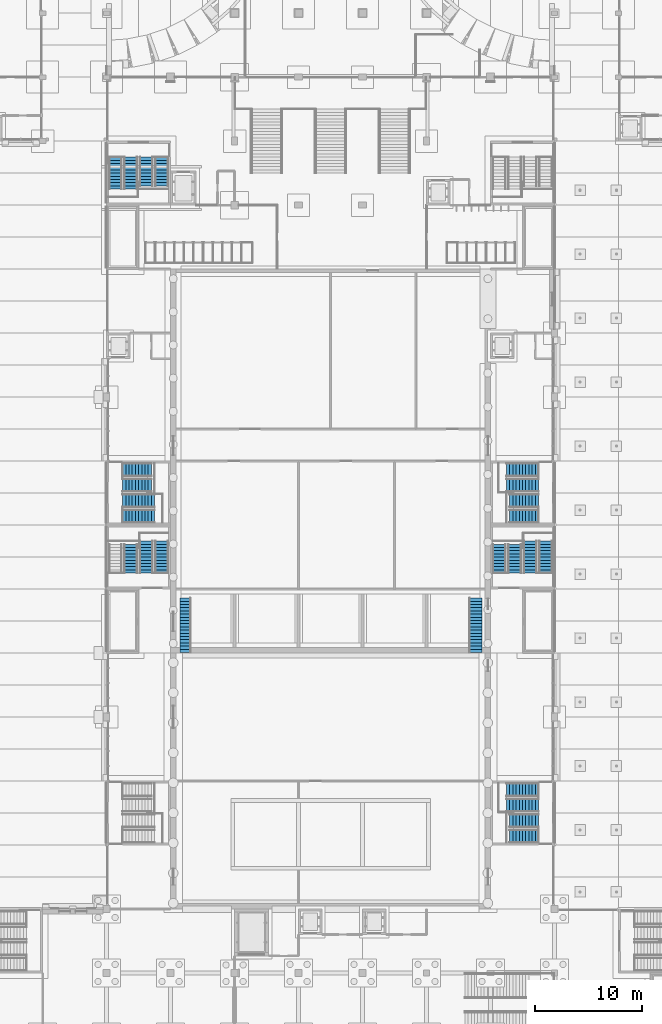
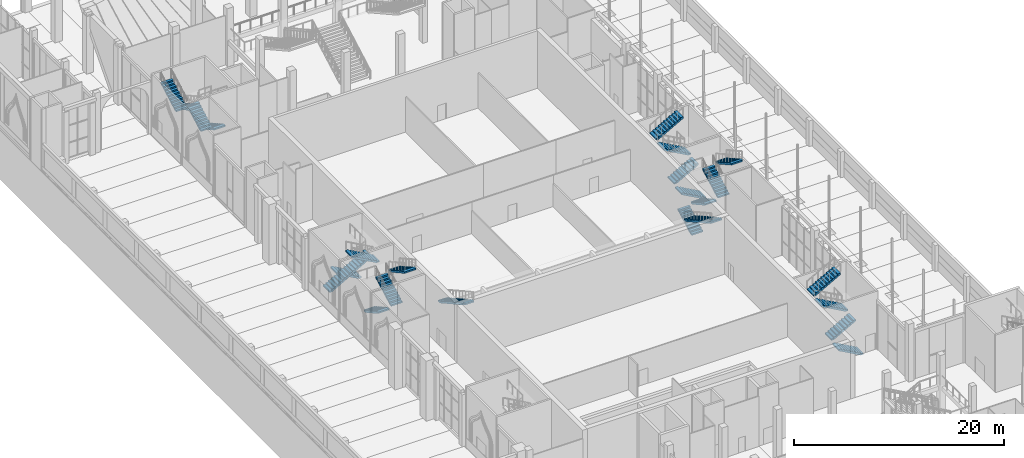
# One storey, part 54 of 95: 25 stair flights, 8 elements without a shape of their own.
"""IFC4 building model written with IfcOpenShell, lengths in metres."""

import ifcopenshell
import ifcopenshell.guid

model = None  # the IFC model being written
_history = None  # IfcOwnerHistory: only IFC2X3 demands one
_inside = {}  # id of a spatial element -> (the spatial element, [elements in it])
_under = {}  # id of a project, library or spatial element -> (it, [spatial elements below it])
_declared = {}  # id of a project -> (the project, [libraries it declares])
_typed = {}  # id of a type object -> (the type object, [elements of that type])
_made_of = {}  # id of a material, layer set ... -> (it, [elements and type objects made of it])


def new_model(schema):
    """Start an empty IFC model of exactly this schema.

    Asked for "IFC4X3", IfcOpenShell would pick the latest addendum, in which some entities
    have other attributes; the version numbers below select the first issue.
    IFC2X3 requires an IfcOwnerHistory on every rooted entity: one is made here for all.
    """
    global model, _history
    if schema == "IFC4X3":
        model = ifcopenshell.file(schema_version=(4, 3, 0, 0))
    else:
        model = ifcopenshell.file(schema=schema)
    _inside.clear()
    _under.clear()
    _declared.clear()
    _typed.clear()
    _made_of.clear()
    _history = None
    if model.schema == "IFC2X3":
        org = make("IfcOrganization", Name="unknown")
        user = make(
            "IfcPersonAndOrganization",
            ThePerson=make("IfcPerson", FamilyName="unknown"),
            TheOrganization=org,
        )
        app = make(
            "IfcApplication",
            ApplicationDeveloper=org,
            Version="unknown",
            ApplicationFullName="unknown",
            ApplicationIdentifier="unknown",
        )
        _history = make(
            "IfcOwnerHistory",
            OwningUser=user,
            OwningApplication=app,
            ChangeAction="ADDED",
            CreationDate=0,
        )
    return model


def make(cls, **values):
    """One entity of the class cls with the attributes given. An attribute that is None is left unset."""
    return model.create_entity(
        cls, **{name: value for name, value in values.items() if value is not None}
    )


def rooted(cls, **values):
    """An entity with a GlobalId (a new one), such as an element, a storey or a relation."""
    return make(cls, GlobalId=ifcopenshell.guid.new(), OwnerHistory=_history, **values)


def si_unit(unit_type, name, prefix=None):
    """IfcSIUnit, for example si_unit("LENGTHUNIT", "METRE", prefix="MILLI")."""
    return make("IfcSIUnit", UnitType=unit_type, Prefix=prefix, Name=name)


def assignment(units):
    """IfcUnitAssignment: the units of a project."""
    return None if units is None else make("IfcUnitAssignment", Units=units)


def point(xyz):
    """IfcCartesianPoint."""
    return None if xyz is None else make("IfcCartesianPoint", Coordinates=xyz)


def direction(xyz):
    """IfcDirection."""
    return None if xyz is None else make("IfcDirection", DirectionRatios=xyz)


def frame(location, z_axis=None, x_axis=None):
    """IfcAxis2Placement3D, a coordinate frame: its origin and axes. An axis left out is left unset."""
    return make(
        "IfcAxis2Placement3D",
        Location=point(location),
        Axis=direction(z_axis),
        RefDirection=direction(x_axis),
    )


def origin():
    """The frame at (0, 0, 0) with its axes left unset."""
    return frame((0.0, 0.0, 0.0))


def place(relative_to, where):
    """IfcLocalPlacement: puts the frame where relative to a parent placement (None: the world)."""
    return make(
        "IfcLocalPlacement", PlacementRelTo=relative_to, RelativePlacement=where
    )


def context(
    kind, dimensions, precision=None, world=None, true_north=None, identifier=None
):
    """IfcGeometricRepresentationContext, for example the 3D "Model" context."""
    return make(
        "IfcGeometricRepresentationContext",
        ContextIdentifier=identifier,
        ContextType=kind,
        CoordinateSpaceDimension=dimensions,
        Precision=precision,
        WorldCoordinateSystem=world,
        TrueNorth=true_north,
    )


def subcontext(parent, identifier, kind, view, scale=None):
    """IfcGeometricRepresentationSubContext, for example "Body" below "Model"."""
    return make(
        "IfcGeometricRepresentationSubContext",
        ContextIdentifier=identifier,
        ContextType=kind,
        ParentContext=parent,
        TargetScale=scale,
        TargetView=view,
    )


def project(units=None, contexts=None):
    """IfcProject with its units and contexts."""
    return rooted(
        "IfcProject",
        Name="project",
        RepresentationContexts=contexts,
        UnitsInContext=assignment(units),
    )


def spatial(cls, under=None, at=None, **own):
    """A site, building, storey or space (cls), placed at a placement, below another one or the project."""
    s = rooted(cls, ObjectPlacement=at, **own)
    if under is not None:
        _under.setdefault(under.id(), (under, []))[1].append(s)
    return s


def polyline(points):
    """IfcPolyline through the points."""
    return make("IfcPolyline", Points=[point(p) for p in points])


def outline(outer, holes=None, kind="AREA"):
    """IfcArbitraryClosedProfileDef: a profile drawn as a closed curve; with holes, ...WithVoids."""
    if holes is None:
        return make("IfcArbitraryClosedProfileDef", ProfileType=kind, OuterCurve=outer)
    return make(
        "IfcArbitraryProfileDefWithVoids",
        ProfileType=kind,
        OuterCurve=outer,
        InnerCurves=holes,
    )


def extrude(swept, where, along, depth):
    """IfcExtrudedAreaSolid: the profile swept, set in the frame where, extruded along a direction by depth."""
    return make(
        "IfcExtrudedAreaSolid",
        SweptArea=swept,
        Position=where,
        ExtrudedDirection=direction(along),
        Depth=depth,
    )


def shape(context_of_items, identifier, shape_type, items):
    """IfcShapeRepresentation: the items that make up one representation, for example the "Body"."""
    return make(
        "IfcShapeRepresentation",
        ContextOfItems=context_of_items,
        RepresentationIdentifier=identifier,
        RepresentationType=shape_type,
        Items=items,
    )


def material(Name=None, Category=None):
    """IfcMaterial."""
    return make("IfcMaterial", Name=Name, Category=Category)


def made_of(thing, what):
    """Note that an element or type object is made of a material, layer set ...; save() writes the relation."""
    if what is not None:
        _made_of.setdefault(what.id(), (what, []))[1].append(thing)
    return thing


def type_object(cls, material=None, **own):
    """A type object (cls), such as IfcWallType, which elements share."""
    return made_of(rooted(cls, **own), material)


def element(
    cls,
    number,
    at=None,
    inside=None,
    cuts=None,
    type_object=None,
    material=None,
    context=None,
    identifier="Body",
    shape_type=None,
    held_by="IfcProductDefinitionShape",
    body=None,
    shapes=None,
    **own,
):
    """One element of the class cls, such as IfcWall. Its Tag is "e" and its number.

    at: its placement. inside: the storey or other place that contains it. cuts: it is an
    opening in that element (IfcRelVoidsElement). A single representation is given by context,
    identifier, shape_type and body (its items); several are given by shapes. held_by: the class
    of the entity that holds the representations. save() writes the other relations.
    """
    e = rooted(cls, Tag="e%d" % number, ObjectPlacement=at, **own)
    if body is not None:
        shapes = [shape(context, identifier, shape_type, body)]
    if shapes is not None:
        e.Representation = make(held_by, Representations=shapes)
    if inside is not None:
        _inside.setdefault(inside.id(), (inside, []))[1].append(e)
    if cuts is not None:
        rooted(
            "IfcRelVoidsElement", RelatingBuildingElement=cuts, RelatedOpeningElement=e
        )
    if type_object is not None:
        _typed.setdefault(type_object.id(), (type_object, []))[1].append(e)
    return made_of(e, material)


def aggregate(whole, parts):
    """IfcRelAggregates: a whole, such as a stair, and the parts it consists of."""
    return rooted("IfcRelAggregates", RelatingObject=whole, RelatedObjects=parts)


def save(model, path):
    """Write the relations noted so far, then the file.

    IfcRelAggregates (storeys below a building ...), IfcRelContainedInSpatialStructure (elements
    in a storey), IfcRelDefinesByType, IfcRelAssociatesMaterial and IfcRelDeclares: one each for
    every whole, place, type object, material and project.
    """
    for whole, parts in _under.values():
        aggregate(whole, parts)
    for where, things in _inside.values():
        rooted(
            "IfcRelContainedInSpatialStructure",
            RelatedElements=things,
            RelatingStructure=where,
        )
    for kind, things in _typed.values():
        rooted("IfcRelDefinesByType", RelatedObjects=things, RelatingType=kind)
    for what, things in _made_of.values():
        rooted("IfcRelAssociatesMaterial", RelatedObjects=things, RelatingMaterial=what)
    for by, libraries in _declared.values():
        rooted("IfcRelDeclares", RelatingContext=by, RelatedDefinitions=libraries)
    model.write(path)


model = new_model("IFC4")

# Units and contexts
model_context = context("Model", 3, precision=1e-05, world=origin(), true_north=direction((0.0, 1.0)))
body_context = subcontext(model_context, "Body", "Model", "MODEL_VIEW")
ifc_project = project(units=[si_unit("LENGTHUNIT", "METRE"), si_unit("AREAUNIT", "SQUARE_METRE"), si_unit("VOLUMEUNIT", "CUBIC_METRE"), si_unit("PLANEANGLEUNIT", "RADIAN"), si_unit("MASSUNIT", "GRAM", prefix="KILO")], contexts=[model_context])

# Site, building, storey
site_placement = place(None, origin())
site = spatial("IfcSite", under=ifc_project, at=site_placement, CompositionType="ELEMENT")
building_placement = place(site_placement, origin())
building = spatial("IfcBuilding", under=site, at=building_placement, Name="Saffron Lane Theatres", CompositionType="ELEMENT")
storey_placement = place(building_placement, origin())
storey = spatial("IfcBuildingStorey", under=building, at=storey_placement, Name="L00", CompositionType="ELEMENT", Elevation=0.0)

# Stair, stair flight
ifc_material_1 = material(Name="Concrete N40 (40 MPa)", Category="concrete")
stair_type_1 = type_object("IfcStairType", Name="VC-STAIR AISLE", PredefinedType="STRAIGHT_RUN_STAIR", material=ifc_material_1)
stair_1_placement = place(storey_placement, origin())
stair_1 = element("IfcStair", 1, at=stair_1_placement, inside=storey, type_object=stair_type_1, Name="Orchestra pit stair 1", PredefinedType="STRAIGHT_RUN_STAIR")
ifc_material_2 = material(Name="Concrete N40 (40 MPa)", Category="concrete")
stair_flight_type_1 = type_object("IfcStairFlightType", Name="VC-FLIGHT 1000", PredefinedType="STRAIGHT", material=ifc_material_2)
stair_flight_1_placement = place(storey_placement, frame((19.39990234375, 59.14990234375, 4.0), z_axis=(0.0, 0.0, 1.0), x_axis=(0.0, -1.0, 0.0)))
stair_flight_1 = element("IfcStairFlight", 2, at=stair_flight_1_placement, type_object=stair_flight_type_1, Name="Orchestra pit stair 1 flight", NumberOfRisers=18, NumberOfTreads=17, PredefinedType="STRAIGHT", RiserHeight=0.166666667, TreadLength=0.3, context=body_context, shape_type="SweptSolid", body=[
    extrude(outline(polyline([(0.0, 0.0), (0.0, 0.166748046875), (0.300048828125, 0.166748046875), (0.300048828125, 0.333251953125), (0.60009765625, 0.333251953125), (0.60009765625, 0.5), (0.89990234375, 0.5), (0.89990234375, 0.666748046875), (1.199951171875, 0.666748046875), (1.199951171875, 0.833251953125), (1.5, 0.833251953125), (1.5, 1.0), (1.800048828125, 1.0), (1.800048828125, 1.166748046875), (2.10009765625, 1.166748046875), (2.10009765625, 1.333251953125), (2.39990234375, 1.333251953125), (2.39990234375, 1.5), (2.699951171875, 1.5), (2.699951171875, 1.666748046875), (3.0, 1.666748046875), (3.0, 1.833251953125), (3.300048828125, 1.833251953125), (3.300048828125, 2.0), (3.60009765625, 2.0), (3.60009765625, 2.166748046875), (3.89990234375, 2.166748046875), (3.89990234375, 2.333251953125), (4.199951171875, 2.333251953125), (4.199951171875, 2.5), (4.5, 2.5), (4.5, 2.666748046875), (4.800048828125, 2.666748046875), (4.800048828125, 2.833251953125), (5.10009765625, 2.833251953125), (5.10009765625, 3.0), (5.10009765625, 2.661865234375), (0.30859375, 0.0), (0.0, 0.0)])), frame((0.0, 0.5, 0.0), z_axis=(0.0, -1.0, 0.0), x_axis=(1.0, 0.0, 0.0)), (0.0, 0.0, 1.0), 1.0),
])
aggregate(stair_1, [stair_flight_1])

stair_2_placement = place(storey_placement, origin())
stair_2 = element("IfcStair", 3, at=stair_2_placement, inside=storey, type_object=stair_type_1, Name="Orchestra pit stair 2", PredefinedType="STRAIGHT_RUN_STAIR")
ifc_material_3 = material(Name="Concrete N40 (40 MPa)", Category="concrete")
stair_flight_type_2 = type_object("IfcStairFlightType", Name="VC-FLIGHT 1200", PredefinedType="STRAIGHT", material=ifc_material_3)
stair_flight_2_placement = place(storey_placement, frame((46.60009765625, 59.14990234375, 4.0), z_axis=(0.0, 0.0, 1.0), x_axis=(0.0, -1.0, 0.0)))
stair_flight_2 = element("IfcStairFlight", 4, at=stair_flight_2_placement, type_object=stair_flight_type_2, Name="Orchestra pit stair 2 flight", NumberOfRisers=18, NumberOfTreads=17, PredefinedType="STRAIGHT", RiserHeight=0.166666667, TreadLength=0.3, context=body_context, shape_type="SweptSolid", body=[
    extrude(outline(polyline([(0.0, 0.0), (0.0, 0.166748046875), (0.300048828125, 0.166748046875), (0.300048828125, 0.333251953125), (0.60009765625, 0.333251953125), (0.60009765625, 0.5), (0.89990234375, 0.5), (0.89990234375, 0.666748046875), (1.199951171875, 0.666748046875), (1.199951171875, 0.833251953125), (1.5, 0.833251953125), (1.5, 1.0), (1.800048828125, 1.0), (1.800048828125, 1.166748046875), (2.10009765625, 1.166748046875), (2.10009765625, 1.333251953125), (2.39990234375, 1.333251953125), (2.39990234375, 1.5), (2.699951171875, 1.5), (2.699951171875, 1.666748046875), (3.0, 1.666748046875), (3.0, 1.833251953125), (3.300048828125, 1.833251953125), (3.300048828125, 2.0), (3.60009765625, 2.0), (3.60009765625, 2.166748046875), (3.89990234375, 2.166748046875), (3.89990234375, 2.333251953125), (4.199951171875, 2.333251953125), (4.199951171875, 2.5), (4.5, 2.5), (4.5, 2.666748046875), (4.800048828125, 2.666748046875), (4.800048828125, 2.833251953125), (5.10009765625, 2.833251953125), (5.10009765625, 3.0), (5.10009765625, 2.661865234375), (0.30859375, 0.0), (0.0, 0.0)])), frame((0.0, 0.60009765625, 0.0), z_axis=(0.0, -1.0, 0.0), x_axis=(1.0, 0.0, 0.0)), (0.0, 0.0, 1.0), 1.199951171875),
])
aggregate(stair_2, [stair_flight_2])

# Stair, stair flights
ifc_material_4 = material(Name="Concrete N40 (40 MPa)", Category="concrete")
stair_type_2 = type_object("IfcStairType", Name="VC-STAIR EXIT", PredefinedType="TWO_STRAIGHT_RUN_STAIR", material=ifc_material_4)
stair_3_placement = place(storey_placement, origin())
stair_3 = element("IfcStair", 5, at=stair_3_placement, inside=storey, type_object=stair_type_2, Name="Brick Block West Stair L00 to L01", PredefinedType="TWO_STRAIGHT_RUN_STAIR")
ifc_material_5 = material(Name="Concrete N40 (40 MPa)", Category="concrete")
stair_flight_type_3 = type_object("IfcStairFlightType", Name="VC-FLIGHT 1250", PredefinedType="STRAIGHT", material=ifc_material_5)
stair_flight_3_placement = place(storey_placement, frame((17.175048828125, 100.5, 0.0), z_axis=(0.0, 0.0, 1.0), x_axis=(0.0, -1.0, 0.0)))
stair_flight_3 = element("IfcStairFlight", 6, at=stair_flight_3_placement, type_object=stair_flight_type_3, Name="Brick Block West Stair flight 1.1", NumberOfRisers=10, NumberOfTreads=9, PredefinedType="STRAIGHT", RiserHeight=0.166666667, TreadLength=0.3, context=body_context, shape_type="SweptSolid", body=[
    extrude(outline(polyline([(0.0, 0.0), (0.0, 0.166748046875), (0.300048828125, 0.166748046875), (0.300048828125, 0.333251953125), (0.60009765625, 0.333251953125), (0.60009765625, 0.5), (0.89990234375, 0.5), (0.89990234375, 0.666748046875), (1.199951171875, 0.666748046875), (1.199951171875, 0.833251953125), (1.5, 0.833251953125), (1.5, 1.0), (1.800048828125, 1.0), (1.800048828125, 1.166748046875), (2.10009765625, 1.166748046875), (2.10009765625, 1.333251953125), (2.39990234375, 1.333251953125), (2.39990234375, 1.5), (2.699951171875, 1.5), (2.699951171875, 1.666748046875), (2.699951171875, 1.32861328125), (0.30859375, 0.0), (0.0, 0.0)])), frame((0.0, 0.625, 0.0), z_axis=(0.0, -1.0, 0.0), x_axis=(1.0, 0.0, 0.0)), (0.0, 0.0, 1.0), 1.25),
])
stair_flight_4_placement = place(storey_placement, frame((15.72509765625, 97.800048828125, 1.666748046875), z_axis=(0.0, 0.0, 1.0), x_axis=(0.0, 1.0, 0.0)))
stair_flight_4 = element("IfcStairFlight", 7, at=stair_flight_4_placement, type_object=stair_flight_type_3, Name="Brick Block West Stair flight 1.2", NumberOfRisers=10, NumberOfTreads=9, PredefinedType="STRAIGHT", RiserHeight=0.166666667, TreadLength=0.3, context=body_context, shape_type="SweptSolid", body=[
    extrude(outline(polyline([(0.0, 0.0), (0.0, 0.166748046875), (0.300048828125, 0.166748046875), (0.300048828125, 0.333251953125), (0.60009765625, 0.333251953125), (0.60009765625, 0.5), (0.89990234375, 0.5), (0.89990234375, 0.666748046875), (1.199951171875, 0.666748046875), (1.199951171875, 0.833251953125), (1.5, 0.833251953125), (1.5, 1.0), (1.800048828125, 1.0), (1.800048828125, 1.166748046875), (2.10009765625, 1.166748046875), (2.10009765625, 1.333251953125), (2.39990234375, 1.333251953125), (2.39990234375, 1.5), (2.699951171875, 1.5), (2.699951171875, 1.666748046875), (2.699951171875, 1.32861328125), (0.30859375, 0.0), (0.0, 0.0)])), frame((0.0, 0.625, 0.0), z_axis=(0.0, -1.0, 0.0), x_axis=(1.0, 0.0, 0.0)), (0.0, 0.0, 1.0), 1.25),
])
stair_flight_5_placement = place(storey_placement, frame((14.27490234375, 100.5, 3.333251953125), z_axis=(0.0, 0.0, 1.0), x_axis=(0.0, -1.0, 0.0)))
stair_flight_5 = element("IfcStairFlight", 8, at=stair_flight_5_placement, type_object=stair_flight_type_3, Name="Brick Block West Stair flight 1.3", NumberOfRisers=11, NumberOfTreads=10, PredefinedType="STRAIGHT", RiserHeight=0.166666667, TreadLength=0.3, context=body_context, shape_type="SweptSolid", body=[
    extrude(outline(polyline([(0.0, 0.0), (0.0, 0.166748046875), (0.300048828125, 0.166748046875), (0.300048828125, 0.333251953125), (0.60009765625, 0.333251953125), (0.60009765625, 0.5), (0.89990234375, 0.5), (0.89990234375, 0.666748046875), (1.199951171875, 0.666748046875), (1.199951171875, 0.833251953125), (1.5, 0.833251953125), (1.5, 1.0), (1.800048828125, 1.0), (1.800048828125, 1.166748046875), (2.10009765625, 1.166748046875), (2.10009765625, 1.333251953125), (2.39990234375, 1.333251953125), (2.39990234375, 1.5), (2.699951171875, 1.5), (2.699951171875, 1.666748046875), (3.0, 1.666748046875), (3.0, 1.833251953125), (3.0, 1.4951171875), (0.30859375, 0.0), (0.0, 0.0)])), frame((0.0, 0.625, 0.0), z_axis=(0.0, -1.0, 0.0), x_axis=(1.0, 0.0, 0.0)), (0.0, 0.0, 1.0), 1.25),
])
stair_flight_6_placement = place(storey_placement, frame((12.824951171875, 97.5, 5.166748046875), z_axis=(0.0, 0.0, 1.0), x_axis=(0.0, 1.0, 0.0)))
stair_flight_6 = element("IfcStairFlight", 9, at=stair_flight_6_placement, type_object=stair_flight_type_3, Name="Brick Block West Stair flight 1.4", NumberOfRisers=11, NumberOfTreads=10, PredefinedType="STRAIGHT", RiserHeight=0.166666667, TreadLength=0.3, context=body_context, shape_type="SweptSolid", body=[
    extrude(outline(polyline([(0.0, 0.0), (0.0, 0.166748046875), (0.300048828125, 0.166748046875), (0.300048828125, 0.333251953125), (0.60009765625, 0.333251953125), (0.60009765625, 0.5), (0.89990234375, 0.5), (0.89990234375, 0.666748046875), (1.199951171875, 0.666748046875), (1.199951171875, 0.833251953125), (1.5, 0.833251953125), (1.5, 1.0), (1.800048828125, 1.0), (1.800048828125, 1.166748046875), (2.10009765625, 1.166748046875), (2.10009765625, 1.333251953125), (2.39990234375, 1.333251953125), (2.39990234375, 1.5), (2.699951171875, 1.5), (2.699951171875, 1.666748046875), (3.0, 1.666748046875), (3.0, 1.833251953125), (3.0, 1.4951171875), (0.30859375, 0.0), (0.0, 0.0)])), frame((0.0, 0.625, 0.0), z_axis=(0.0, -1.0, 0.0), x_axis=(1.0, 0.0, 0.0)), (0.0, 0.0, 1.0), 1.25),
])
aggregate(stair_3, [stair_flight_3, stair_flight_4, stair_flight_5, stair_flight_6])

stair_4_placement = place(storey_placement, origin())
stair_4 = element("IfcStair", 10, at=stair_4_placement, inside=storey, type_object=stair_type_2, Name="Auditorium West Rear Stair L00 to L01", PredefinedType="TWO_STRAIGHT_RUN_STAIR")
stair_flight_7_placement = place(storey_placement, frame((13.5, 71.175048828125, 0.0), z_axis=(0.0, 0.0, 1.0), x_axis=(1.0, 0.0, 0.0)))
stair_flight_7 = element("IfcStairFlight", 11, at=stair_flight_7_placement, type_object=stair_flight_type_3, Name="Auditorium West Rear Stair flight 1.1", NumberOfRisers=10, NumberOfTreads=9, PredefinedType="STRAIGHT", RiserHeight=0.166666667, TreadLength=0.3, context=body_context, shape_type="SweptSolid", body=[
    extrude(outline(polyline([(0.0, 0.0), (0.0, 0.166748046875), (0.300048828125, 0.166748046875), (0.300048828125, 0.333251953125), (0.60009765625, 0.333251953125), (0.60009765625, 0.5), (0.89990234375, 0.5), (0.89990234375, 0.666748046875), (1.199951171875, 0.666748046875), (1.199951171875, 0.833251953125), (1.5, 0.833251953125), (1.5, 1.0), (1.800048828125, 1.0), (1.800048828125, 1.166748046875), (2.10009765625, 1.166748046875), (2.10009765625, 1.333251953125), (2.39990234375, 1.333251953125), (2.39990234375, 1.5), (2.699951171875, 1.5), (2.699951171875, 1.666748046875), (2.699951171875, 1.32861328125), (0.30859375, 0.0), (0.0, 0.0)])), frame((0.0, 0.625, 0.0), z_axis=(0.0, -1.0, 0.0), x_axis=(1.0, 0.0, 0.0)), (0.0, 0.0, 1.0), 1.25),
])
stair_flight_8_placement = place(storey_placement, frame((16.199951171875, 69.72509765625, 1.666748046875), z_axis=(0.0, 0.0, 1.0), x_axis=(-1.0, 0.0, 0.0)))
stair_flight_8 = element("IfcStairFlight", 12, at=stair_flight_8_placement, type_object=stair_flight_type_3, Name="Auditorium West Rear Stair flight 1.2", NumberOfRisers=10, NumberOfTreads=9, PredefinedType="STRAIGHT", RiserHeight=0.166666667, TreadLength=0.3, context=body_context, shape_type="SweptSolid", body=[
    extrude(outline(polyline([(0.0, 0.0), (0.0, 0.166748046875), (0.300048828125, 0.166748046875), (0.300048828125, 0.333251953125), (0.60009765625, 0.333251953125), (0.60009765625, 0.5), (0.89990234375, 0.5), (0.89990234375, 0.666748046875), (1.199951171875, 0.666748046875), (1.199951171875, 0.833251953125), (1.5, 0.833251953125), (1.5, 1.0), (1.800048828125, 1.0), (1.800048828125, 1.166748046875), (2.10009765625, 1.166748046875), (2.10009765625, 1.333251953125), (2.39990234375, 1.333251953125), (2.39990234375, 1.5), (2.699951171875, 1.5), (2.699951171875, 1.666748046875), (2.699951171875, 1.32861328125), (0.30859375, 0.0), (0.0, 0.0)])), frame((0.0, 0.625, 0.0), z_axis=(0.0, -1.0, 0.0), x_axis=(1.0, 0.0, 0.0)), (0.0, 0.0, 1.0), 1.25),
])
stair_flight_9_placement = place(storey_placement, frame((13.5, 68.27490234375, 3.333251953125), z_axis=(0.0, 0.0, 1.0), x_axis=(1.0, 0.0, 0.0)))
stair_flight_9 = element("IfcStairFlight", 13, at=stair_flight_9_placement, type_object=stair_flight_type_3, Name="Auditorium West Rear Stair flight 1.3", NumberOfRisers=11, NumberOfTreads=10, PredefinedType="STRAIGHT", RiserHeight=0.166666667, TreadLength=0.3, context=body_context, shape_type="SweptSolid", body=[
    extrude(outline(polyline([(0.0, 0.0), (0.0, 0.166748046875), (0.300048828125, 0.166748046875), (0.300048828125, 0.333251953125), (0.60009765625, 0.333251953125), (0.60009765625, 0.5), (0.89990234375, 0.5), (0.89990234375, 0.666748046875), (1.199951171875, 0.666748046875), (1.199951171875, 0.833251953125), (1.5, 0.833251953125), (1.5, 1.0), (1.800048828125, 1.0), (1.800048828125, 1.166748046875), (2.10009765625, 1.166748046875), (2.10009765625, 1.333251953125), (2.39990234375, 1.333251953125), (2.39990234375, 1.5), (2.699951171875, 1.5), (2.699951171875, 1.666748046875), (3.0, 1.666748046875), (3.0, 1.833251953125), (3.0, 1.4951171875), (0.30859375, 0.0), (0.0, 0.0)])), frame((0.0, 0.625, 0.0), z_axis=(0.0, -1.0, 0.0), x_axis=(1.0, 0.0, 0.0)), (0.0, 0.0, 1.0), 1.25),
])
stair_flight_10_placement = place(storey_placement, frame((16.5, 66.824951171875, 5.166748046875), z_axis=(0.0, 0.0, 1.0), x_axis=(-1.0, 0.0, 0.0)))
stair_flight_10 = element("IfcStairFlight", 14, at=stair_flight_10_placement, type_object=stair_flight_type_3, Name="Auditorium West Rear Stair flight 1.4", NumberOfRisers=11, NumberOfTreads=10, PredefinedType="STRAIGHT", RiserHeight=0.166666667, TreadLength=0.3, context=body_context, shape_type="SweptSolid", body=[
    extrude(outline(polyline([(0.0, 0.0), (0.0, 0.166748046875), (0.300048828125, 0.166748046875), (0.300048828125, 0.333251953125), (0.60009765625, 0.333251953125), (0.60009765625, 0.5), (0.89990234375, 0.5), (0.89990234375, 0.666748046875), (1.199951171875, 0.666748046875), (1.199951171875, 0.833251953125), (1.5, 0.833251953125), (1.5, 1.0), (1.800048828125, 1.0), (1.800048828125, 1.166748046875), (2.10009765625, 1.166748046875), (2.10009765625, 1.333251953125), (2.39990234375, 1.333251953125), (2.39990234375, 1.5), (2.699951171875, 1.5), (2.699951171875, 1.666748046875), (3.0, 1.666748046875), (3.0, 1.833251953125), (3.0, 1.4951171875), (0.30859375, 0.0), (0.0, 0.0)])), frame((0.0, 0.625, 0.0), z_axis=(0.0, -1.0, 0.0), x_axis=(1.0, 0.0, 0.0)), (0.0, 0.0, 1.0), 1.25),
])
aggregate(stair_4, [stair_flight_7, stair_flight_8, stair_flight_9, stair_flight_10])

stair_5_placement = place(storey_placement, origin())
stair_5 = element("IfcStair", 15, at=stair_5_placement, inside=storey, type_object=stair_type_2, Name="Auditorium East Rear Stair L00 to L01", PredefinedType="TWO_STRAIGHT_RUN_STAIR")
stair_flight_11_placement = place(storey_placement, frame((52.5, 66.824951171875, 0.0), z_axis=(0.0, 0.0, 1.0), x_axis=(-1.0, 0.0, 0.0)))
stair_flight_11 = element("IfcStairFlight", 16, at=stair_flight_11_placement, type_object=stair_flight_type_3, Name="Auditorium East Rear Stair flight 1.1", NumberOfRisers=10, NumberOfTreads=9, PredefinedType="STRAIGHT", RiserHeight=0.166666667, TreadLength=0.3, context=body_context, shape_type="SweptSolid", body=[
    extrude(outline(polyline([(0.0, 0.0), (0.0, 0.166748046875), (0.300048828125, 0.166748046875), (0.300048828125, 0.333251953125), (0.60009765625, 0.333251953125), (0.60009765625, 0.5), (0.89990234375, 0.5), (0.89990234375, 0.666748046875), (1.199951171875, 0.666748046875), (1.199951171875, 0.833251953125), (1.5, 0.833251953125), (1.5, 1.0), (1.800048828125, 1.0), (1.800048828125, 1.166748046875), (2.10009765625, 1.166748046875), (2.10009765625, 1.333251953125), (2.39990234375, 1.333251953125), (2.39990234375, 1.5), (2.699951171875, 1.5), (2.699951171875, 1.666748046875), (2.699951171875, 1.32861328125), (0.30859375, 0.0), (0.0, 0.0)])), frame((0.0, 0.625, 0.0), z_axis=(0.0, -1.0, 0.0), x_axis=(1.0, 0.0, 0.0)), (0.0, 0.0, 1.0), 1.25),
])
stair_flight_12_placement = place(storey_placement, frame((49.800048828125, 68.27490234375, 1.666748046875), z_axis=(0.0, 0.0, 1.0), x_axis=(1.0, 0.0, 0.0)))
stair_flight_12 = element("IfcStairFlight", 17, at=stair_flight_12_placement, type_object=stair_flight_type_3, Name="Auditorium East Rear Stair flight 1.2", NumberOfRisers=10, NumberOfTreads=9, PredefinedType="STRAIGHT", RiserHeight=0.166666667, TreadLength=0.3, context=body_context, shape_type="SweptSolid", body=[
    extrude(outline(polyline([(0.0, 0.0), (0.0, 0.166748046875), (0.300048828125, 0.166748046875), (0.300048828125, 0.333251953125), (0.60009765625, 0.333251953125), (0.60009765625, 0.5), (0.89990234375, 0.5), (0.89990234375, 0.666748046875), (1.199951171875, 0.666748046875), (1.199951171875, 0.833251953125), (1.5, 0.833251953125), (1.5, 1.0), (1.800048828125, 1.0), (1.800048828125, 1.166748046875), (2.10009765625, 1.166748046875), (2.10009765625, 1.333251953125), (2.39990234375, 1.333251953125), (2.39990234375, 1.5), (2.699951171875, 1.5), (2.699951171875, 1.666748046875), (2.699951171875, 1.32861328125), (0.30859375, 0.0), (0.0, 0.0)])), frame((0.0, 0.625, 0.0), z_axis=(0.0, -1.0, 0.0), x_axis=(1.0, 0.0, 0.0)), (0.0, 0.0, 1.0), 1.25),
])
stair_flight_13_placement = place(storey_placement, frame((52.5, 69.72509765625, 3.333251953125), z_axis=(0.0, 0.0, 1.0), x_axis=(-1.0, 0.0, 0.0)))
stair_flight_13 = element("IfcStairFlight", 18, at=stair_flight_13_placement, type_object=stair_flight_type_3, Name="Auditorium East Rear Stair flight 1.3", NumberOfRisers=11, NumberOfTreads=10, PredefinedType="STRAIGHT", RiserHeight=0.166666667, TreadLength=0.3, context=body_context, shape_type="SweptSolid", body=[
    extrude(outline(polyline([(0.0, 0.0), (0.0, 0.166748046875), (0.300048828125, 0.166748046875), (0.300048828125, 0.333251953125), (0.60009765625, 0.333251953125), (0.60009765625, 0.5), (0.89990234375, 0.5), (0.89990234375, 0.666748046875), (1.199951171875, 0.666748046875), (1.199951171875, 0.833251953125), (1.5, 0.833251953125), (1.5, 1.0), (1.800048828125, 1.0), (1.800048828125, 1.166748046875), (2.10009765625, 1.166748046875), (2.10009765625, 1.333251953125), (2.39990234375, 1.333251953125), (2.39990234375, 1.5), (2.699951171875, 1.5), (2.699951171875, 1.666748046875), (3.0, 1.666748046875), (3.0, 1.833251953125), (3.0, 1.4951171875), (0.30859375, 0.0), (0.0, 0.0)])), frame((0.0, 0.625, 0.0), z_axis=(0.0, -1.0, 0.0), x_axis=(1.0, 0.0, 0.0)), (0.0, 0.0, 1.0), 1.25),
])
stair_flight_14_placement = place(storey_placement, frame((49.5, 71.175048828125, 5.166748046875), z_axis=(0.0, 0.0, 1.0), x_axis=(1.0, 0.0, 0.0)))
stair_flight_14 = element("IfcStairFlight", 19, at=stair_flight_14_placement, type_object=stair_flight_type_3, Name="Auditorium East Rear Stair flight 1.4", NumberOfRisers=11, NumberOfTreads=10, PredefinedType="STRAIGHT", RiserHeight=0.166666667, TreadLength=0.3, context=body_context, shape_type="SweptSolid", body=[
    extrude(outline(polyline([(0.0, 0.0), (0.0, 0.166748046875), (0.300048828125, 0.166748046875), (0.300048828125, 0.333251953125), (0.60009765625, 0.333251953125), (0.60009765625, 0.5), (0.89990234375, 0.5), (0.89990234375, 0.666748046875), (1.199951171875, 0.666748046875), (1.199951171875, 0.833251953125), (1.5, 0.833251953125), (1.5, 1.0), (1.800048828125, 1.0), (1.800048828125, 1.166748046875), (2.10009765625, 1.166748046875), (2.10009765625, 1.333251953125), (2.39990234375, 1.333251953125), (2.39990234375, 1.5), (2.699951171875, 1.5), (2.699951171875, 1.666748046875), (3.0, 1.666748046875), (3.0, 1.833251953125), (3.0, 1.4951171875), (0.30859375, 0.0), (0.0, 0.0)])), frame((0.0, 0.625, 0.0), z_axis=(0.0, -1.0, 0.0), x_axis=(1.0, 0.0, 0.0)), (0.0, 0.0, 1.0), 1.25),
])
aggregate(stair_5, [stair_flight_11, stair_flight_12, stair_flight_13, stair_flight_14])

stair_6_placement = place(storey_placement, origin())
stair_6 = element("IfcStair", 20, at=stair_6_placement, inside=storey, type_object=stair_type_2, Name="Auditorium West Front Stair L00 to L01", PredefinedType="TWO_STRAIGHT_RUN_STAIR")
stair_flight_15_placement = place(storey_placement, frame((14.27490234375, 64.199951171875, 1.666748046875), z_axis=(0.0, 0.0, 1.0), x_axis=(0.0, -1.0, 0.0)))
stair_flight_15 = element("IfcStairFlight", 21, at=stair_flight_15_placement, type_object=stair_flight_type_3, Name="Auditorium West Front Stair flight 1.2", NumberOfRisers=10, NumberOfTreads=9, PredefinedType="STRAIGHT", RiserHeight=0.166666667, TreadLength=0.3, context=body_context, shape_type="SweptSolid", body=[
    extrude(outline(polyline([(0.0, 0.0), (0.0, 0.166748046875), (0.300048828125, 0.166748046875), (0.300048828125, 0.333251953125), (0.60009765625, 0.333251953125), (0.60009765625, 0.5), (0.89990234375, 0.5), (0.89990234375, 0.666748046875), (1.199951171875, 0.666748046875), (1.199951171875, 0.833251953125), (1.5, 0.833251953125), (1.5, 1.0), (1.800048828125, 1.0), (1.800048828125, 1.166748046875), (2.10009765625, 1.166748046875), (2.10009765625, 1.333251953125), (2.39990234375, 1.333251953125), (2.39990234375, 1.5), (2.699951171875, 1.5), (2.699951171875, 1.666748046875), (2.699951171875, 1.32861328125), (0.30859375, 0.0), (0.0, 0.0)])), frame((0.0, 0.625, 0.0), z_axis=(0.0, -1.0, 0.0), x_axis=(1.0, 0.0, 0.0)), (0.0, 0.0, 1.0), 1.25),
])
stair_flight_16_placement = place(storey_placement, frame((15.72509765625, 61.5, 3.333251953125), z_axis=(0.0, 0.0, 1.0), x_axis=(0.0, 1.0, 0.0)))
stair_flight_16 = element("IfcStairFlight", 22, at=stair_flight_16_placement, type_object=stair_flight_type_3, Name="Auditorium West Front Stair flight 1.3", NumberOfRisers=11, NumberOfTreads=10, PredefinedType="STRAIGHT", RiserHeight=0.166666667, TreadLength=0.3, context=body_context, shape_type="SweptSolid", body=[
    extrude(outline(polyline([(0.0, 0.0), (0.0, 0.166748046875), (0.300048828125, 0.166748046875), (0.300048828125, 0.333251953125), (0.60009765625, 0.333251953125), (0.60009765625, 0.5), (0.89990234375, 0.5), (0.89990234375, 0.666748046875), (1.199951171875, 0.666748046875), (1.199951171875, 0.833251953125), (1.5, 0.833251953125), (1.5, 1.0), (1.800048828125, 1.0), (1.800048828125, 1.166748046875), (2.10009765625, 1.166748046875), (2.10009765625, 1.333251953125), (2.39990234375, 1.333251953125), (2.39990234375, 1.5), (2.699951171875, 1.5), (2.699951171875, 1.666748046875), (3.0, 1.666748046875), (3.0, 1.833251953125), (3.0, 1.4951171875), (0.30859375, 0.0), (0.0, 0.0)])), frame((0.0, 0.625, 0.0), z_axis=(0.0, -1.0, 0.0), x_axis=(1.0, 0.0, 0.0)), (0.0, 0.0, 1.0), 1.25),
])
stair_flight_17_placement = place(storey_placement, frame((17.175048828125, 64.5, 5.166748046875), z_axis=(0.0, 0.0, 1.0), x_axis=(0.0, -1.0, 0.0)))
stair_flight_17 = element("IfcStairFlight", 23, at=stair_flight_17_placement, type_object=stair_flight_type_3, Name="Auditorium West Front Stair flight 1.4", NumberOfRisers=11, NumberOfTreads=10, PredefinedType="STRAIGHT", RiserHeight=0.166666667, TreadLength=0.3, context=body_context, shape_type="SweptSolid", body=[
    extrude(outline(polyline([(0.0, 0.0), (0.0, 0.166748046875), (0.300048828125, 0.166748046875), (0.300048828125, 0.333251953125), (0.60009765625, 0.333251953125), (0.60009765625, 0.5), (0.89990234375, 0.5), (0.89990234375, 0.666748046875), (1.199951171875, 0.666748046875), (1.199951171875, 0.833251953125), (1.5, 0.833251953125), (1.5, 1.0), (1.800048828125, 1.0), (1.800048828125, 1.166748046875), (2.10009765625, 1.166748046875), (2.10009765625, 1.333251953125), (2.39990234375, 1.333251953125), (2.39990234375, 1.5), (2.699951171875, 1.5), (2.699951171875, 1.666748046875), (3.0, 1.666748046875), (3.0, 1.833251953125), (3.0, 1.4951171875), (0.30859375, 0.0), (0.0, 0.0)])), frame((0.0, 0.625, 0.0), z_axis=(0.0, -1.0, 0.0), x_axis=(1.0, 0.0, 0.0)), (0.0, 0.0, 1.0), 1.25),
])
aggregate(stair_6, [stair_flight_15, stair_flight_16, stair_flight_17])

stair_7_placement = place(storey_placement, origin())
stair_7 = element("IfcStair", 24, at=stair_7_placement, inside=storey, type_object=stair_type_2, Name="Auditorium East Front Stair L00 to L01", PredefinedType="TWO_STRAIGHT_RUN_STAIR")
stair_flight_18_placement = place(storey_placement, frame((48.824951171875, 61.5, 0.0), z_axis=(0.0, 0.0, 1.0), x_axis=(0.0, 1.0, 0.0)))
stair_flight_18 = element("IfcStairFlight", 25, at=stair_flight_18_placement, type_object=stair_flight_type_3, Name="Auditorium East Front Stair flight 1.1", NumberOfRisers=10, NumberOfTreads=9, PredefinedType="STRAIGHT", RiserHeight=0.166666667, TreadLength=0.3, context=body_context, shape_type="SweptSolid", body=[
    extrude(outline(polyline([(0.0, 0.0), (0.0, 0.166748046875), (0.300048828125, 0.166748046875), (0.300048828125, 0.333251953125), (0.60009765625, 0.333251953125), (0.60009765625, 0.5), (0.89990234375, 0.5), (0.89990234375, 0.666748046875), (1.199951171875, 0.666748046875), (1.199951171875, 0.833251953125), (1.5, 0.833251953125), (1.5, 1.0), (1.800048828125, 1.0), (1.800048828125, 1.166748046875), (2.10009765625, 1.166748046875), (2.10009765625, 1.333251953125), (2.39990234375, 1.333251953125), (2.39990234375, 1.5), (2.699951171875, 1.5), (2.699951171875, 1.666748046875), (2.699951171875, 1.32861328125), (0.30859375, 0.0), (0.0, 0.0)])), frame((0.0, 0.625, 0.0), z_axis=(0.0, -1.0, 0.0), x_axis=(1.0, 0.0, 0.0)), (0.0, 0.0, 1.0), 1.25),
])
stair_flight_19_placement = place(storey_placement, frame((50.27490234375, 64.199951171875, 1.666748046875), z_axis=(0.0, 0.0, 1.0), x_axis=(0.0, -1.0, 0.0)))
stair_flight_19 = element("IfcStairFlight", 26, at=stair_flight_19_placement, type_object=stair_flight_type_3, Name="Auditorium East Front Stair flight 1.2", NumberOfRisers=10, NumberOfTreads=9, PredefinedType="STRAIGHT", RiserHeight=0.166666667, TreadLength=0.3, context=body_context, shape_type="SweptSolid", body=[
    extrude(outline(polyline([(0.0, 0.0), (0.0, 0.166748046875), (0.300048828125, 0.166748046875), (0.300048828125, 0.333251953125), (0.60009765625, 0.333251953125), (0.60009765625, 0.5), (0.89990234375, 0.5), (0.89990234375, 0.666748046875), (1.199951171875, 0.666748046875), (1.199951171875, 0.833251953125), (1.5, 0.833251953125), (1.5, 1.0), (1.800048828125, 1.0), (1.800048828125, 1.166748046875), (2.10009765625, 1.166748046875), (2.10009765625, 1.333251953125), (2.39990234375, 1.333251953125), (2.39990234375, 1.5), (2.699951171875, 1.5), (2.699951171875, 1.666748046875), (2.699951171875, 1.32861328125), (0.30859375, 0.0), (0.0, 0.0)])), frame((0.0, 0.625, 0.0), z_axis=(0.0, -1.0, 0.0), x_axis=(1.0, 0.0, 0.0)), (0.0, 0.0, 1.0), 1.25),
])
stair_flight_20_placement = place(storey_placement, frame((51.72509765625, 61.5, 3.333251953125), z_axis=(0.0, 0.0, 1.0), x_axis=(0.0, 1.0, 0.0)))
stair_flight_20 = element("IfcStairFlight", 27, at=stair_flight_20_placement, type_object=stair_flight_type_3, Name="Auditorium East Front Stair flight 1.3", NumberOfRisers=11, NumberOfTreads=10, PredefinedType="STRAIGHT", RiserHeight=0.166666667, TreadLength=0.3, context=body_context, shape_type="SweptSolid", body=[
    extrude(outline(polyline([(0.0, 0.0), (0.0, 0.166748046875), (0.300048828125, 0.166748046875), (0.300048828125, 0.333251953125), (0.60009765625, 0.333251953125), (0.60009765625, 0.5), (0.89990234375, 0.5), (0.89990234375, 0.666748046875), (1.199951171875, 0.666748046875), (1.199951171875, 0.833251953125), (1.5, 0.833251953125), (1.5, 1.0), (1.800048828125, 1.0), (1.800048828125, 1.166748046875), (2.10009765625, 1.166748046875), (2.10009765625, 1.333251953125), (2.39990234375, 1.333251953125), (2.39990234375, 1.5), (2.699951171875, 1.5), (2.699951171875, 1.666748046875), (3.0, 1.666748046875), (3.0, 1.833251953125), (3.0, 1.4951171875), (0.30859375, 0.0), (0.0, 0.0)])), frame((0.0, 0.625, 0.0), z_axis=(0.0, -1.0, 0.0), x_axis=(1.0, 0.0, 0.0)), (0.0, 0.0, 1.0), 1.25),
])
stair_flight_21_placement = place(storey_placement, frame((53.175048828125, 64.5, 5.166748046875), z_axis=(0.0, 0.0, 1.0), x_axis=(0.0, -1.0, 0.0)))
stair_flight_21 = element("IfcStairFlight", 28, at=stair_flight_21_placement, type_object=stair_flight_type_3, Name="Auditorium East Front Stair flight 1.4", NumberOfRisers=11, NumberOfTreads=10, PredefinedType="STRAIGHT", RiserHeight=0.166666667, TreadLength=0.3, context=body_context, shape_type="SweptSolid", body=[
    extrude(outline(polyline([(0.0, 0.0), (0.0, 0.166748046875), (0.300048828125, 0.166748046875), (0.300048828125, 0.333251953125), (0.60009765625, 0.333251953125), (0.60009765625, 0.5), (0.89990234375, 0.5), (0.89990234375, 0.666748046875), (1.199951171875, 0.666748046875), (1.199951171875, 0.833251953125), (1.5, 0.833251953125), (1.5, 1.0), (1.800048828125, 1.0), (1.800048828125, 1.166748046875), (2.10009765625, 1.166748046875), (2.10009765625, 1.333251953125), (2.39990234375, 1.333251953125), (2.39990234375, 1.5), (2.699951171875, 1.5), (2.699951171875, 1.666748046875), (3.0, 1.666748046875), (3.0, 1.833251953125), (3.0, 1.4951171875), (0.30859375, 0.0), (0.0, 0.0)])), frame((0.0, 0.625, 0.0), z_axis=(0.0, -1.0, 0.0), x_axis=(1.0, 0.0, 0.0)), (0.0, 0.0, 1.0), 1.25),
])
aggregate(stair_7, [stair_flight_18, stair_flight_19, stair_flight_20, stair_flight_21])

stair_8_placement = place(storey_placement, origin())
stair_8 = element("IfcStair", 29, at=stair_8_placement, inside=storey, type_object=stair_type_2, Name="Stage East Stair L00 to L01", PredefinedType="TWO_STRAIGHT_RUN_STAIR")
stair_flight_22_placement = place(storey_placement, frame((52.5, 36.824951171875, 0.0), z_axis=(0.0, 0.0, 1.0), x_axis=(-1.0, 0.0, 0.0)))
stair_flight_22 = element("IfcStairFlight", 30, at=stair_flight_22_placement, type_object=stair_flight_type_3, Name="Stage East Stair flight 1.1", NumberOfRisers=10, NumberOfTreads=9, PredefinedType="STRAIGHT", RiserHeight=0.166666667, TreadLength=0.3, context=body_context, shape_type="SweptSolid", body=[
    extrude(outline(polyline([(0.0, 0.0), (0.0, 0.166748046875), (0.300048828125, 0.166748046875), (0.300048828125, 0.333251953125), (0.60009765625, 0.333251953125), (0.60009765625, 0.5), (0.89990234375, 0.5), (0.89990234375, 0.666748046875), (1.199951171875, 0.666748046875), (1.199951171875, 0.833251953125), (1.5, 0.833251953125), (1.5, 1.0), (1.800048828125, 1.0), (1.800048828125, 1.166748046875), (2.10009765625, 1.166748046875), (2.10009765625, 1.333251953125), (2.39990234375, 1.333251953125), (2.39990234375, 1.5), (2.699951171875, 1.5), (2.699951171875, 1.666748046875), (2.699951171875, 1.32861328125), (0.30859375, 0.0), (0.0, 0.0)])), frame((0.0, 0.625, 0.0), z_axis=(0.0, -1.0, 0.0), x_axis=(1.0, 0.0, 0.0)), (0.0, 0.0, 1.0), 1.25),
])
stair_flight_23_placement = place(storey_placement, frame((49.800048828125, 38.27490234375, 1.666748046875), z_axis=(0.0, 0.0, 1.0), x_axis=(1.0, 0.0, 0.0)))
stair_flight_23 = element("IfcStairFlight", 31, at=stair_flight_23_placement, type_object=stair_flight_type_3, Name="Stage East Stair flight 1.2", NumberOfRisers=10, NumberOfTreads=9, PredefinedType="STRAIGHT", RiserHeight=0.166666667, TreadLength=0.3, context=body_context, shape_type="SweptSolid", body=[
    extrude(outline(polyline([(0.0, 0.0), (0.0, 0.166748046875), (0.300048828125, 0.166748046875), (0.300048828125, 0.333251953125), (0.60009765625, 0.333251953125), (0.60009765625, 0.5), (0.89990234375, 0.5), (0.89990234375, 0.666748046875), (1.199951171875, 0.666748046875), (1.199951171875, 0.833251953125), (1.5, 0.833251953125), (1.5, 1.0), (1.800048828125, 1.0), (1.800048828125, 1.166748046875), (2.10009765625, 1.166748046875), (2.10009765625, 1.333251953125), (2.39990234375, 1.333251953125), (2.39990234375, 1.5), (2.699951171875, 1.5), (2.699951171875, 1.666748046875), (2.699951171875, 1.32861328125), (0.30859375, 0.0), (0.0, 0.0)])), frame((0.0, 0.625, 0.0), z_axis=(0.0, -1.0, 0.0), x_axis=(1.0, 0.0, 0.0)), (0.0, 0.0, 1.0), 1.25),
])
stair_flight_24_placement = place(storey_placement, frame((52.5, 39.72509765625, 3.333251953125), z_axis=(0.0, 0.0, 1.0), x_axis=(-1.0, 0.0, 0.0)))
stair_flight_24 = element("IfcStairFlight", 32, at=stair_flight_24_placement, type_object=stair_flight_type_3, Name="Stage East Stair flight 1.3", NumberOfRisers=11, NumberOfTreads=10, PredefinedType="STRAIGHT", RiserHeight=0.166666667, TreadLength=0.3, context=body_context, shape_type="SweptSolid", body=[
    extrude(outline(polyline([(0.0, 0.0), (0.0, 0.166748046875), (0.300048828125, 0.166748046875), (0.300048828125, 0.333251953125), (0.60009765625, 0.333251953125), (0.60009765625, 0.5), (0.89990234375, 0.5), (0.89990234375, 0.666748046875), (1.199951171875, 0.666748046875), (1.199951171875, 0.833251953125), (1.5, 0.833251953125), (1.5, 1.0), (1.800048828125, 1.0), (1.800048828125, 1.166748046875), (2.10009765625, 1.166748046875), (2.10009765625, 1.333251953125), (2.39990234375, 1.333251953125), (2.39990234375, 1.5), (2.699951171875, 1.5), (2.699951171875, 1.666748046875), (3.0, 1.666748046875), (3.0, 1.833251953125), (3.0, 1.4951171875), (0.30859375, 0.0), (0.0, 0.0)])), frame((0.0, 0.625, 0.0), z_axis=(0.0, -1.0, 0.0), x_axis=(1.0, 0.0, 0.0)), (0.0, 0.0, 1.0), 1.25),
])
stair_flight_25_placement = place(storey_placement, frame((49.5, 41.175048828125, 5.166748046875), z_axis=(0.0, 0.0, 1.0), x_axis=(1.0, 0.0, 0.0)))
stair_flight_25 = element("IfcStairFlight", 33, at=stair_flight_25_placement, type_object=stair_flight_type_3, Name="Stage East Stair flight 1.4", NumberOfRisers=11, NumberOfTreads=10, PredefinedType="STRAIGHT", RiserHeight=0.166666667, TreadLength=0.3, context=body_context, shape_type="SweptSolid", body=[
    extrude(outline(polyline([(0.0, 0.0), (0.0, 0.166748046875), (0.300048828125, 0.166748046875), (0.300048828125, 0.333251953125), (0.60009765625, 0.333251953125), (0.60009765625, 0.5), (0.89990234375, 0.5), (0.89990234375, 0.666748046875), (1.199951171875, 0.666748046875), (1.199951171875, 0.833251953125), (1.5, 0.833251953125), (1.5, 1.0), (1.800048828125, 1.0), (1.800048828125, 1.166748046875), (2.10009765625, 1.166748046875), (2.10009765625, 1.333251953125), (2.39990234375, 1.333251953125), (2.39990234375, 1.5), (2.699951171875, 1.5), (2.699951171875, 1.666748046875), (3.0, 1.666748046875), (3.0, 1.833251953125), (3.0, 1.4951171875), (0.30859375, 0.0), (0.0, 0.0)])), frame((0.0, 0.625, 0.0), z_axis=(0.0, -1.0, 0.0), x_axis=(1.0, 0.0, 0.0)), (0.0, 0.0, 1.0), 1.25),
])
aggregate(stair_8, [stair_flight_22, stair_flight_23, stair_flight_24, stair_flight_25])

save(model, "model.ifc")
